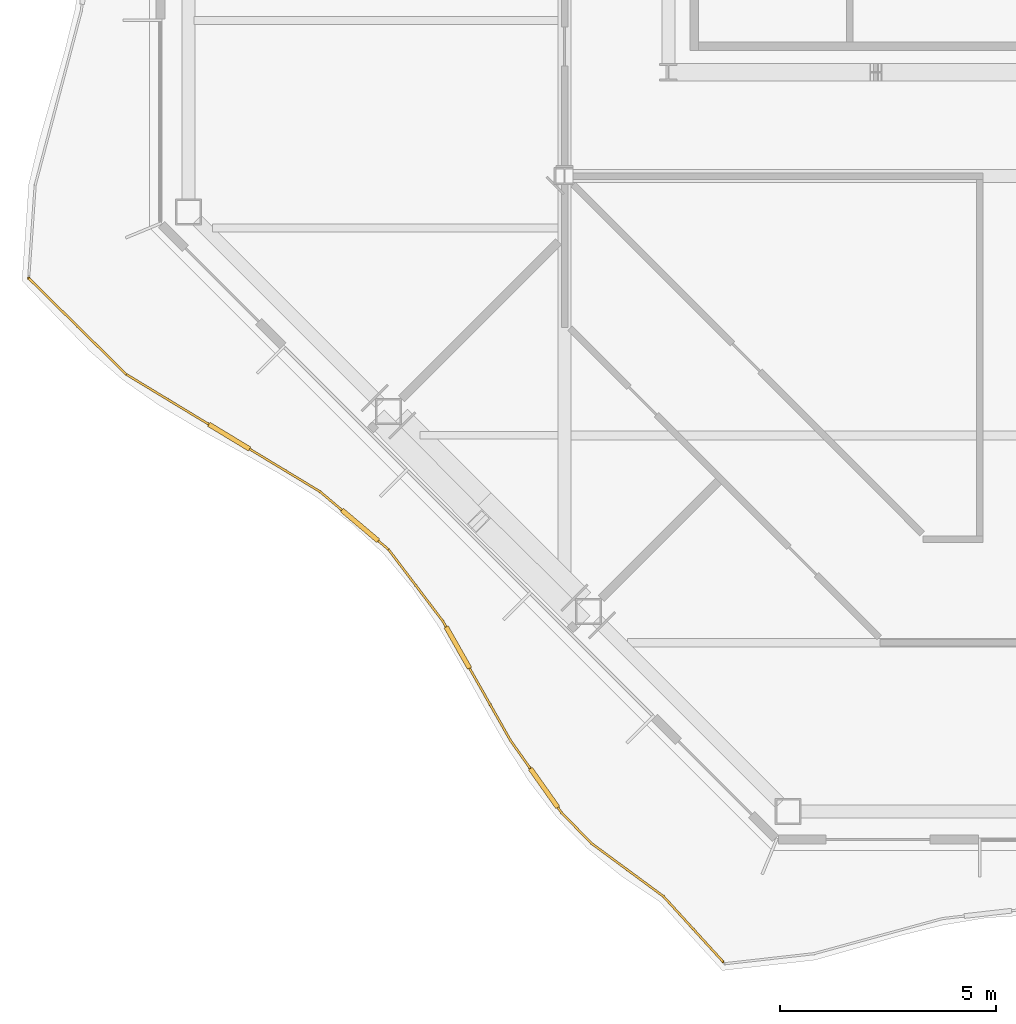
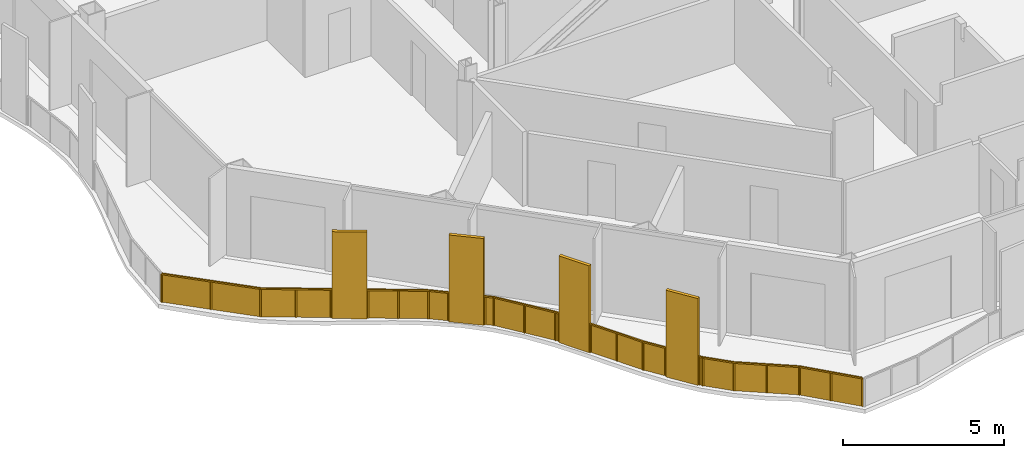
# One storey, part 14 of 19: 1 railing.
"""IFC4 building model written with IfcOpenShell, lengths in metres."""

from ifc_helpers import new_model, si_unit, direction, frame, origin, origin_2d, place, context, subcontext, project, spatial, polyline, rectangle, outline, extrude, material, type_object, element, save


model = new_model("IFC4")

# Units and contexts
model_context = context("Model", 3, precision=1e-05, world=origin(), true_north=direction((0.0, 1.0)))
body_context = subcontext(model_context, "Body", "Model", "MODEL_VIEW")
ifc_project = project(units=[si_unit("LENGTHUNIT", "METRE"), si_unit("AREAUNIT", "SQUARE_METRE"), si_unit("VOLUMEUNIT", "CUBIC_METRE"), si_unit("PLANEANGLEUNIT", "RADIAN"), si_unit("MASSUNIT", "GRAM", prefix="KILO")], contexts=[model_context])

# Site, building, storey
site_placement = place(None, origin())
site = spatial("IfcSite", under=ifc_project, at=site_placement, CompositionType="ELEMENT")
building_placement = place(site_placement, origin())
building = spatial("IfcBuilding", under=site, at=building_placement, Name="Cairn Pilgrim Tower", CompositionType="ELEMENT")
storey_placement = place(building_placement, frame((0.0, 0.0, 201.0)))
storey = spatial("IfcBuildingStorey", under=building, at=storey_placement, Name="L51", CompositionType="ELEMENT", Elevation=201.0)

# Railing
ifc_material = material(Name="Bronze anodised aluminium rail, posts and fin screens with laminated glass infill", Category="aluminium")
railing_type = type_object("IfcRailingType", Name="BALCONY GUARD WITH FIN SCREENS", PredefinedType="GUARDRAIL", material=ifc_material)
railing_placement = place(storey_placement, frame((-17.198486328125, -10.7646484375, 0.0)))
element("IfcRailing", 1, at=railing_placement, inside=storey, type_object=railing_type, Name="Balcony guard BGF-8 with fin screens", PredefinedType="GUARDRAIL", context=body_context, shape_type="SweptSolid", body=[
    extrude(rectangle(XDim=0.050048828125, YDim=0.050048828125, at=origin_2d()), frame((0.0, 0.0, 1.0751953125), z_axis=(0.712624811498, -0.70154534995, 0.0), x_axis=(0.70154534995, 0.712624811498, 0.0)), (0.0, 0.0, 1.0), 3.173095703125),
    extrude(rectangle(XDim=1.10009765625, YDim=0.110107421875, at=origin_2d()), frame((4.638671875, -3.6650390625, 0.0), z_axis=(0.0, 0.0, 1.0), x_axis=(0.85548323189, -0.51783051277, 0.0)), (0.0, 0.0, 1.0), 3.300048828125),
    extrude(rectangle(XDim=0.050048828125, YDim=0.050048828125, at=origin_2d()), frame((2.26123046875, -2.22607421875, 1.0751953125), z_axis=(0.85548323189, -0.51783051277, 0.0), x_axis=(0.51783051277, 0.85548323189, 0.0)), (0.0, 0.0, 1.0), 2.22900390625),
    extrude(rectangle(XDim=0.050048828125, YDim=0.050048828125, at=origin_2d()), frame((5.109130859375, -3.949951171875, 1.0751953125), z_axis=(0.85548323189, -0.51783051277, 0.0), x_axis=(0.51783051277, 0.85548323189, 0.0)), (0.0, 0.0, 1.0), 1.907958984375),
    extrude(rectangle(XDim=1.10009765625, YDim=0.110107421875, at=origin_2d()), frame((7.6650390625, -5.7177734375, 0.0), z_axis=(0.0, 0.0, 1.0), x_axis=(0.764042821556, -0.64516553444, 0.0)), (0.0, 0.0, 1.0), 3.300048828125),
    extrude(rectangle(XDim=0.050048828125, YDim=0.050048828125, at=origin_2d()), frame((6.741455078125, -4.93798828125, 1.0751953125), z_axis=(0.764042821556, -0.64516553444, 0.0), x_axis=(0.64516553444, 0.764042821556, 0.0)), (0.0, 0.0, 1.0), 0.658935546875),
    extrude(rectangle(XDim=0.050048828125, YDim=0.050048828125, at=origin_2d()), frame((8.085205078125, -6.07275390625, 1.0751953125), z_axis=(0.764042821556, -0.64516553444, 0.0), x_axis=(0.64516553444, 0.764042821556, 0.0)), (0.0, 0.0, 1.0), 0.3134765625),
    extrude(rectangle(XDim=0.050048828125, YDim=0.050048828125, at=origin_2d()), frame((8.32470703125, -6.27490234375, 1.0751953125), z_axis=(0.603932178053, -0.797035710814, 0.0), x_axis=(0.797035710814, 0.603932178053, 0.0)), (0.0, 0.0, 1.0), 2.082275390625),
    extrude(rectangle(XDim=1.10009765625, YDim=0.110107421875, at=origin_2d()), frame((9.927490234375, -8.54345703125, 0.0), z_axis=(0.0, 0.0, 1.0), x_axis=(0.493101909594, -0.869971555141, 0.0)), (0.0, 0.0, 1.0), 3.300048828125),
    extrude(rectangle(XDim=0.050048828125, YDim=0.050048828125, at=origin_2d()), frame((9.582275390625, -7.9345703125, 1.0751953125), z_axis=(0.493101909594, -0.869971555141, 0.0), x_axis=(0.869971555141, 0.493101909594, 0.0)), (0.0, 0.0, 1.0), 0.14990234375),
    extrude(rectangle(XDim=0.050048828125, YDim=0.050048828125, at=origin_2d()), frame((10.19873046875, -9.02197265625, 1.0751953125), z_axis=(0.493101909594, -0.869971555141, 0.0), x_axis=(0.869971555141, 0.493101909594, 0.0)), (0.0, 0.0, 1.0), 1.921875),
    extrude(rectangle(XDim=1.10009765625, YDim=0.110107421875, at=origin_2d()), frame((11.924072265625, -11.79345703125, 0.0), z_axis=(0.0, 0.0, 1.0), x_axis=(0.577418181938, -0.816448555126, 0.0)), (0.0, 0.0, 1.0), 3.300048828125),
    extrude(rectangle(XDim=0.050048828125, YDim=0.050048828125, at=origin_2d()), frame((11.146240234375, -10.69384765625, 1.0751953125), z_axis=(0.577418181938, -0.816448555126, 0.0), x_axis=(0.816448555126, 0.577418181938, 0.0)), (0.0, 0.0, 1.0), 0.796875),
    extrude(rectangle(XDim=0.050048828125, YDim=0.050048828125, at=origin_2d()), frame((12.241455078125, -12.24267578125, 1.0751953125), z_axis=(0.577418181938, -0.816448555126, 0.0), x_axis=(0.816448555126, 0.577418181938, 0.0)), (0.0, 0.0, 1.0), 0.14990234375),
    extrude(rectangle(XDim=0.050048828125, YDim=0.050048828125, at=origin_2d()), frame((12.328125, -12.364990234375, 1.0751953125), z_axis=(0.698584621159, -0.715527446769, 0.0), x_axis=(0.715527446769, 0.698584621159, 0.0)), (0.0, 0.0, 1.0), 0.994384765625),
    extrude(rectangle(XDim=0.050048828125, YDim=0.050048828125, at=origin_2d()), frame((13.022705078125, -13.076416015625, 1.0751953125), z_axis=(0.805281929456, -0.592892076259, 0.0), x_axis=(0.592892076259, 0.805281929456, 0.0)), (0.0, 0.0, 1.0), 2.062255859375),
    extrude(rectangle(XDim=0.050048828125, YDim=0.050048828125, at=origin_2d()), frame((14.683349609375, -14.299072265625, 1.0751953125), z_axis=(0.674105612204, -0.738634973174, 0.0), x_axis=(0.738634973174, 0.674105612204, 0.0)), (0.0, 0.0, 1.0), 2.050537109375),
    extrude(rectangle(XDim=0.050048828125, YDim=0.050048828125, at=origin_2d()), origin(), (0.0, 0.0, 1.0), 1.050048828125),
    extrude(rectangle(XDim=0.050048828125, YDim=0.050048828125, at=origin_2d()), frame((1.130615234375, -1.113037109375, 0.0)), (0.0, 0.0, 1.0), 1.050048828125),
    extrude(rectangle(XDim=0.050048828125, YDim=0.050048828125, at=origin_2d()), frame((2.26123046875, -2.22607421875, 0.0)), (0.0, 0.0, 1.0), 1.050048828125),
    extrude(rectangle(XDim=0.050048828125, YDim=0.050048828125, at=origin_2d()), frame((3.203857421875, -2.796630859375, 0.0)), (0.0, 0.0, 1.0), 1.050048828125),
    extrude(rectangle(XDim=0.050048828125, YDim=0.050048828125, at=origin_2d()), frame((4.146728515625, -3.367431640625, 0.0)), (0.0, 0.0, 1.0), 1.050048828125),
    extrude(rectangle(XDim=0.050048828125, YDim=0.050048828125, at=origin_2d()), frame((5.130615234375, -3.962890625, 0.0)), (0.0, 0.0, 1.0), 1.050048828125),
    extrude(rectangle(XDim=0.050048828125, YDim=0.050048828125, at=origin_2d()), frame((5.93603515625, -4.450439453125, 0.0)), (0.0, 0.0, 1.0), 1.050048828125),
    extrude(rectangle(XDim=0.050048828125, YDim=0.050048828125, at=origin_2d()), frame((6.741455078125, -4.93798828125, 0.0)), (0.0, 0.0, 1.0), 1.050048828125),
    extrude(rectangle(XDim=0.050048828125, YDim=0.050048828125, at=origin_2d()), frame((7.225830078125, -5.346923828125, 0.0)), (0.0, 0.0, 1.0), 1.050048828125),
    extrude(rectangle(XDim=0.050048828125, YDim=0.050048828125, at=origin_2d()), frame((8.1044921875, -6.0888671875, 0.0)), (0.0, 0.0, 1.0), 1.050048828125),
    extrude(rectangle(XDim=0.050048828125, YDim=0.050048828125, at=origin_2d()), frame((8.32470703125, -6.27490234375, 0.0)), (0.0, 0.0, 1.0), 1.050048828125),
    extrude(rectangle(XDim=0.050048828125, YDim=0.050048828125, at=origin_2d()), frame((8.95361328125, -7.104736328125, 0.0)), (0.0, 0.0, 1.0), 1.050048828125),
    extrude(rectangle(XDim=0.050048828125, YDim=0.050048828125, at=origin_2d()), frame((9.582275390625, -7.9345703125, 0.0)), (0.0, 0.0, 1.0), 1.050048828125),
    extrude(rectangle(XDim=0.050048828125, YDim=0.050048828125, at=origin_2d()), frame((9.643798828125, -8.043212890625, 0.0)), (0.0, 0.0, 1.0), 1.050048828125),
    extrude(rectangle(XDim=0.050048828125, YDim=0.050048828125, at=origin_2d()), frame((10.2109375, -9.043701171875, 0.0)), (0.0, 0.0, 1.0), 1.050048828125),
    extrude(rectangle(XDim=0.050048828125, YDim=0.050048828125, at=origin_2d()), frame((10.6787109375, -9.868896484375, 0.0)), (0.0, 0.0, 1.0), 1.050048828125),
    extrude(rectangle(XDim=0.050048828125, YDim=0.050048828125, at=origin_2d()), frame((11.146240234375, -10.69384765625, 0.0)), (0.0, 0.0, 1.0), 1.050048828125),
    extrude(rectangle(XDim=0.050048828125, YDim=0.050048828125, at=origin_2d()), frame((11.592041015625, -11.323974609375, 0.0)), (0.0, 0.0, 1.0), 1.050048828125),
    extrude(rectangle(XDim=0.050048828125, YDim=0.050048828125, at=origin_2d()), frame((12.256103515625, -12.262939453125, 0.0)), (0.0, 0.0, 1.0), 1.050048828125),
    extrude(rectangle(XDim=0.050048828125, YDim=0.050048828125, at=origin_2d()), frame((12.328125, -12.364990234375, 0.0)), (0.0, 0.0, 1.0), 1.050048828125),
    extrude(rectangle(XDim=0.050048828125, YDim=0.050048828125, at=origin_2d()), frame((13.022705078125, -13.076416015625, 0.0)), (0.0, 0.0, 1.0), 1.050048828125),
    extrude(rectangle(XDim=0.050048828125, YDim=0.050048828125, at=origin_2d()), frame((13.85302734375, -13.687744140625, 0.0)), (0.0, 0.0, 1.0), 1.050048828125),
    extrude(rectangle(XDim=0.050048828125, YDim=0.050048828125, at=origin_2d()), frame((14.683349609375, -14.299072265625, 0.0)), (0.0, 0.0, 1.0), 1.050048828125),
    extrude(rectangle(XDim=0.050048828125, YDim=0.050048828125, at=origin_2d()), frame((15.37451171875, -15.056396484375, 0.0)), (0.0, 0.0, 1.0), 1.050048828125),
    extrude(rectangle(XDim=0.050048828125, YDim=0.050048828125, at=origin_2d()), frame((16.065673828125, -15.813720703125, 0.0)), (0.0, 0.0, 1.0), 1.050048828125),
    extrude(outline(polyline([(0.02490234375, 0.0), (1.5615234375, 0.0), (1.5615234375, 1.050048828125), (0.02490234375, 1.050048828125), (0.02490234375, 0.0)])), frame((0.004150390625, 0.004150390625, 0.0), z_axis=(-0.70154534995, -0.712624811498, 0.0), x_axis=(0.712624811498, -0.70154534995, 0.0)), (0.0, 0.0, 1.0), 0.011962890625),
    extrude(outline(polyline([(0.02490234375, 0.0), (1.5615234375, 0.0), (1.5615234375, 1.050048828125), (0.02490234375, 1.050048828125), (0.02490234375, 0.0)])), frame((1.134765625, -1.10888671875, 0.0), z_axis=(-0.70154534995, -0.712624811498, 0.0), x_axis=(0.712624811498, -0.70154534995, 0.0)), (0.0, 0.0, 1.0), 0.011962890625),
    extrude(outline(polyline([(0.02490234375, 0.0), (1.076904296875, 0.0), (1.076904296875, 1.050048828125), (0.02490234375, 1.050048828125), (0.02490234375, 0.0)])), frame((2.264404296875, -2.220947265625, 0.0), z_axis=(-0.51783051277, -0.85548323189, 0.0), x_axis=(0.85548323189, -0.51783051277, 0.0)), (0.0, 0.0, 1.0), 0.011962890625),
    extrude(outline(polyline([(0.02490234375, 0.0), (1.076904296875, 0.0), (1.076904296875, 1.050048828125), (0.02490234375, 1.050048828125), (0.02490234375, 0.0)])), frame((3.20703125, -2.79150390625, 0.0), z_axis=(-0.51783051277, -0.85548323189, 0.0), x_axis=(0.85548323189, -0.51783051277, 0.0)), (0.0, 0.0, 1.0), 0.011962890625),
    extrude(outline(polyline([(0.02490234375, 0.0), (0.91650390625, 0.0), (0.91650390625, 1.050048828125), (0.02490234375, 1.050048828125), (0.02490234375, 0.0)])), frame((5.133544921875, -3.957763671875, 0.0), z_axis=(-0.51783051277, -0.85548323189, 0.0), x_axis=(0.85548323189, -0.51783051277, 0.0)), (0.0, 0.0, 1.0), 0.011962890625),
    extrude(outline(polyline([(0.02490234375, 0.0), (0.91650390625, 0.0), (0.91650390625, 1.050048828125), (0.02490234375, 1.050048828125), (0.02490234375, 0.0)])), frame((5.939208984375, -4.4453125, 0.0), z_axis=(-0.51783051277, -0.85548323189, 0.0), x_axis=(0.85548323189, -0.51783051277, 0.0)), (0.0, 0.0, 1.0), 0.011962890625),
    extrude(outline(polyline([(0.02490234375, 0.0), (0.60888671875, 0.0), (0.60888671875, 1.050048828125), (0.02490234375, 1.050048828125), (0.02490234375, 0.0)])), frame((6.745361328125, -4.933349609375, 0.0), z_axis=(-0.64516553444, -0.764042821556, 0.0), x_axis=(0.764042821556, -0.64516553444, 0.0)), (0.0, 0.0, 1.0), 0.011962890625),
    extrude(outline(polyline([(0.02490234375, 0.0), (0.263427734375, 0.0), (0.263427734375, 1.050048828125), (0.02490234375, 1.050048828125), (0.02490234375, 0.0)])), frame((8.108154296875, -6.084228515625, 0.0), z_axis=(-0.64516553444, -0.764042821556, 0.0), x_axis=(0.764042821556, -0.64516553444, 0.0)), (0.0, 0.0, 1.0), 0.011962890625),
    extrude(outline(polyline([(0.02490234375, 0.0), (1.01611328125, 0.0), (1.01611328125, 1.050048828125), (0.02490234375, 1.050048828125), (0.02490234375, 0.0)])), frame((8.32958984375, -6.271240234375, 0.0), z_axis=(-0.797035710814, -0.603932178053, 0.0), x_axis=(0.603932178053, -0.797035710814, 0.0)), (0.0, 0.0, 1.0), 0.011962890625),
    extrude(outline(polyline([(0.02490234375, 0.0), (1.01611328125, 0.0), (1.01611328125, 1.050048828125), (0.02490234375, 1.050048828125), (0.02490234375, 0.0)])), frame((8.958251953125, -7.10107421875, 0.0), z_axis=(-0.797035710814, -0.603932178053, 0.0), x_axis=(0.603932178053, -0.797035710814, 0.0)), (0.0, 0.0, 1.0), 0.011962890625),
    extrude(outline(polyline([(0.02490234375, 0.0), (0.099853515625, 0.0), (0.099853515625, 1.050048828125), (0.02490234375, 1.050048828125), (0.02490234375, 0.0)])), frame((9.58740234375, -7.931640625, 0.0), z_axis=(-0.869971555141, -0.493101909594, 0.0), x_axis=(0.493101909594, -0.869971555141, 0.0)), (0.0, 0.0, 1.0), 0.011962890625),
    extrude(outline(polyline([(0.02490234375, 0.0), (0.92333984375, 0.0), (0.92333984375, 1.050048828125), (0.02490234375, 1.050048828125), (0.02490234375, 0.0)])), frame((10.216064453125, -9.040771484375, 0.0), z_axis=(-0.869971555141, -0.493101909594, 0.0), x_axis=(0.493101909594, -0.869971555141, 0.0)), (0.0, 0.0, 1.0), 0.011962890625),
    extrude(outline(polyline([(0.02490234375, 0.0), (0.92333984375, 0.0), (0.92333984375, 1.050048828125), (0.02490234375, 1.050048828125), (0.02490234375, 0.0)])), frame((10.683837890625, -9.865966796875, 0.0), z_axis=(-0.869971555141, -0.493101909594, 0.0), x_axis=(0.493101909594, -0.869971555141, 0.0)), (0.0, 0.0, 1.0), 0.011962890625),
    extrude(outline(polyline([(0.02490234375, 0.0), (0.746826171875, 0.0), (0.746826171875, 1.050048828125), (0.02490234375, 1.050048828125), (0.02490234375, 0.0)])), frame((11.151123046875, -10.6904296875, 0.0), z_axis=(-0.816448555126, -0.577418181938, 0.0), x_axis=(0.577418181938, -0.816448555126, 0.0)), (0.0, 0.0, 1.0), 0.011962890625),
    extrude(outline(polyline([(0.02490234375, 0.0), (0.099853515625, 0.0), (0.099853515625, 1.050048828125), (0.02490234375, 1.050048828125), (0.02490234375, 0.0)])), frame((12.260986328125, -12.259521484375, 0.0), z_axis=(-0.816448555126, -0.577418181938, 0.0), x_axis=(0.577418181938, -0.816448555126, 0.0)), (0.0, 0.0, 1.0), 0.011962890625),
    extrude(outline(polyline([(0.02490234375, 0.0), (0.96923828125, 0.0), (0.96923828125, 1.050048828125), (0.02490234375, 1.050048828125), (0.02490234375, 0.0)])), frame((12.33251953125, -12.36083984375, 0.0), z_axis=(-0.715527446769, -0.698584621159, 0.0), x_axis=(0.698584621159, -0.715527446769, 0.0)), (0.0, 0.0, 1.0), 0.011962890625),
    extrude(outline(polyline([(0.02490234375, 0.0), (1.006103515625, 0.0), (1.006103515625, 1.050048828125), (0.02490234375, 1.050048828125), (0.02490234375, 0.0)])), frame((13.0263671875, -13.071533203125, 0.0), z_axis=(-0.592892076259, -0.805281929456, 0.0), x_axis=(0.805281929456, -0.592892076259, 0.0)), (0.0, 0.0, 1.0), 0.011962890625),
    extrude(outline(polyline([(0.02490234375, 0.0), (1.006103515625, 0.0), (1.006103515625, 1.050048828125), (0.02490234375, 1.050048828125), (0.02490234375, 0.0)])), frame((13.856689453125, -13.682861328125, 0.0), z_axis=(-0.592892076259, -0.805281929456, 0.0), x_axis=(0.805281929456, -0.592892076259, 0.0)), (0.0, 0.0, 1.0), 0.011962890625),
    extrude(outline(polyline([(0.02490234375, 0.0), (1.000244140625, 0.0), (1.000244140625, 1.050048828125), (0.02490234375, 1.050048828125), (0.02490234375, 0.0)])), frame((14.687744140625, -14.294921875, 0.0), z_axis=(-0.738634973174, -0.674105612204, 0.0), x_axis=(0.674105612204, -0.738634973174, 0.0)), (0.0, 0.0, 1.0), 0.011962890625),
    extrude(outline(polyline([(0.02490234375, 0.0), (1.000244140625, 0.0), (1.000244140625, 1.050048828125), (0.02490234375, 1.050048828125), (0.02490234375, 0.0)])), frame((15.37890625, -15.05224609375, 0.0), z_axis=(-0.738634973174, -0.674105612204, 0.0), x_axis=(0.674105612204, -0.738634973174, 0.0)), (0.0, 0.0, 1.0), 0.011962890625),
])

save(model, "model.ifc")
